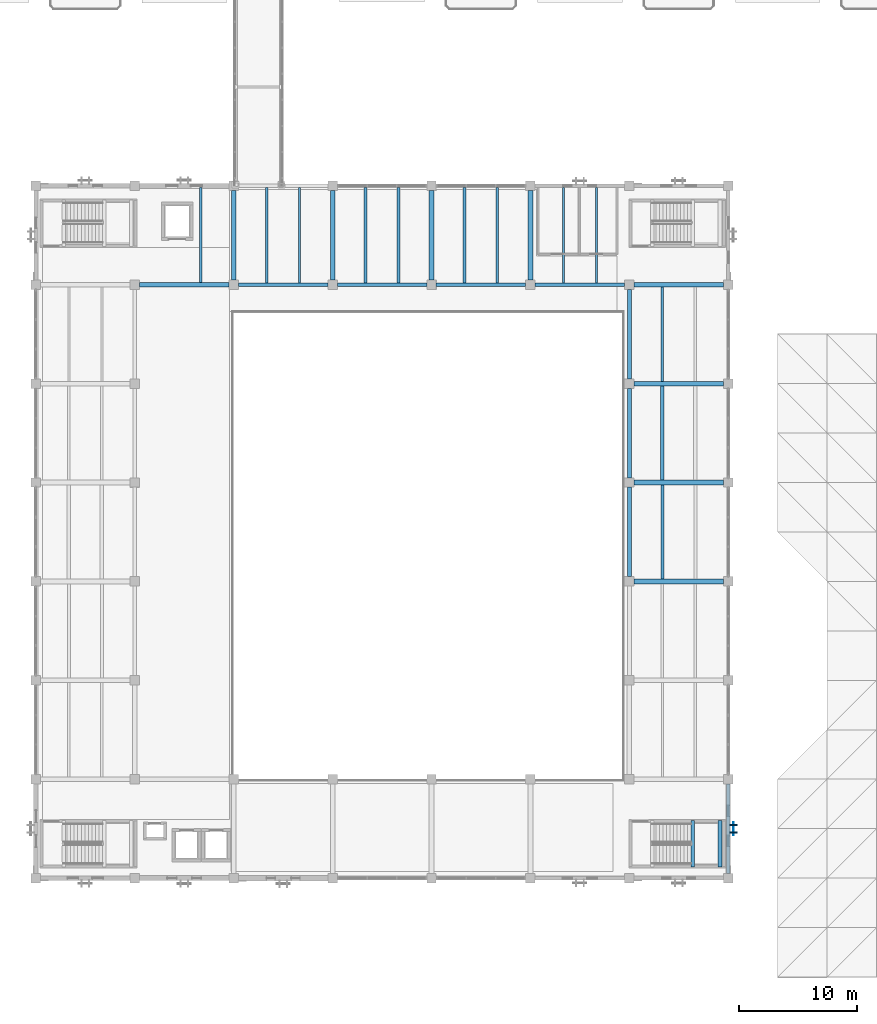
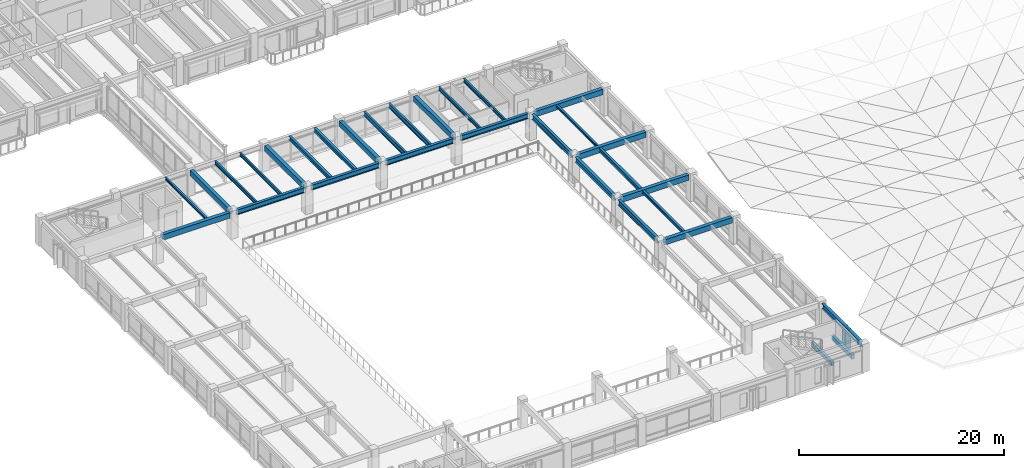
# One storey, part 11 of 123: 31 beams, 3 members, 1 element without a shape of its own.
"""IFC4 building model written with IfcOpenShell, lengths in metres."""

from ifc_helpers import new_model, si_unit, direction, frame, origin, origin_2d, place, context, subcontext, project, spatial, rectangle, i_section, extrude, material, material_profile, profile_set, type_object, element, aggregate, save


model = new_model("IFC4")

# Units and contexts
model_context = context("Model", 3, precision=1e-05, world=origin(), true_north=direction((0.0, 1.0)))
body_context = subcontext(model_context, "Body", "Model", "MODEL_VIEW")
ifc_project = project(units=[si_unit("LENGTHUNIT", "METRE"), si_unit("AREAUNIT", "SQUARE_METRE"), si_unit("VOLUMEUNIT", "CUBIC_METRE"), si_unit("PLANEANGLEUNIT", "RADIAN"), si_unit("MASSUNIT", "GRAM", prefix="KILO")], contexts=[model_context])

# Site, building, storey
site_placement = place(None, origin())
site = spatial("IfcSite", under=ifc_project, at=site_placement, CompositionType="ELEMENT")
building_placement = place(site_placement, origin())
building = spatial("IfcBuilding", under=site, at=building_placement, Name="Cumbredor Promenade Congress Hotel", CompositionType="ELEMENT")
storey_placement = place(building_placement, frame((0.0, 0.0, 11.760009765625)))
storey = spatial("IfcBuildingStorey", under=building, at=storey_placement, Name="L03", CompositionType="ELEMENT", Elevation=11.760009765625)

# Beams
ifc_material_1 = material(Name="Concrete C40/50", Category="concrete")
ifc_material_profile_1 = material_profile(ifc_material_1, rectangle(XDim=0.39990234375, YDim=0.64990234375, at=origin_2d()), Name="RC BEAM 400x650")
ifc_profile_set_1 = profile_set([ifc_material_profile_1], Name="Concrete C40/50")
beam_type_1 = type_object("IfcBeamType", Name="BM-RC-400x650", PredefinedType="BEAM", material=ifc_profile_set_1)
for number, where, z_axis, x_axis, name in (
    (1, (17.199951171875, 58.800048828125, 2.794921875), (1.0, 0.0, 0.0), (0.0, 1.0, 0.0), "L04 X-Grid Beam 041"),
    (2, (25.199951171875, 59.199951171875, 2.794921875), (0.0, 1.0, 0.0), (-1.0, 0.0, 0.0), "L04 Y-Grid Beam 054"),
    (3, (33.60009765625, 59.199951171875, 2.794921875), (0.0, 1.0, 0.0), (-1.0, 0.0, 0.0), "L04 Y-Grid Beam 066"),
    (4, (42.0, 59.199951171875, 2.794921875), (0.0, 1.0, 0.0), (-1.0, 0.0, 0.0), "L04 Y-Grid Beam 079"),
    (5, (50.39990234375, 59.199951171875, 2.794921875), (0.0, 1.0, 0.0), (-1.0, 0.0, 0.0), "L04 Y-Grid Beam 092"),
    (6, (59.199951171875, 33.60009765625, 2.794921875), (1.0, 0.0, 0.0), (0.0, 1.0, 0.0), "L04 X-Grid Beam 108"),
    (7, (59.199951171875, 42.0, 2.794921875), (1.0, 0.0, 0.0), (0.0, 1.0, 0.0), "L04 X-Grid Beam 110"),
    (8, (59.199951171875, 50.39990234375, 2.794921875), (1.0, 0.0, 0.0), (0.0, 1.0, 0.0), "L04 X-Grid Beam 112"),
    (9, (59.199951171875, 58.800048828125, 2.794921875), (1.0, 0.0, 0.0), (0.0, 1.0, 0.0), "L04 X-Grid Beam 114"),
):
    element("IfcBeam", number, at=place(storey_placement, frame(where, z_axis=z_axis, x_axis=x_axis)), inside=storey, type_object=beam_type_1, Name=name, PredefinedType="BEAM", context=body_context, shape_type="SweptSolid", body=[
        extrude(rectangle(XDim=0.39990234375, YDim=0.64990234375, at=origin_2d()), origin(), (0.0, 0.0, 1.0), 7.60009765625),
    ])
ifc_material_2 = material(Name="Steel ASTM A992 Grade 50", Category="steel")
ifc_material_profile_2 = material_profile(ifc_material_2, i_section(OverallWidth=0.323974609375, OverallDepth=0.611083984375, WebThickness=0.0126953125, FlangeThickness=0.01904296875, at=origin_2d()), Name="W24X104")
ifc_profile_set_2 = profile_set([ifc_material_profile_2], Name="Steel ASTM A992 Grade 50")
beam_type_2 = type_object("IfcBeamType", Name="BM-W24X104", PredefinedType="BEAM", material=ifc_profile_set_2)
beam_1_placement = place(storey_placement, frame((25.60009765625, 58.800048828125, 2.814453125), z_axis=(1.0, 0.0, 0.0), x_axis=(0.0, 1.0, 0.0)))
element("IfcBeam", 10, at=beam_1_placement, inside=storey, type_object=beam_type_2, Name="L04 X-Grid Beam 053", PredefinedType="BEAM", context=body_context, shape_type="SweptSolid", body=[
    extrude(i_section(OverallWidth=0.323974609375, OverallDepth=0.611083984375, WebThickness=0.0126953125, FlangeThickness=0.01904296875, at=origin_2d()), origin(), (0.0, 0.0, 1.0), 7.599853515625),
])
for number, where, z_axis, x_axis, name in (
    (11, (34.0, 58.800048828125, 2.814453125), (1.0, 0.0, 0.0), (0.0, 1.0, 0.0), "L04 X-Grid Beam 065"),
    (12, (42.39990234375, 58.800048828125, 2.814453125), (1.0, 0.0, 0.0), (0.0, 1.0, 0.0), "L04 X-Grid Beam 078"),
):
    element("IfcBeam", number, at=place(storey_placement, frame(where, z_axis=z_axis, x_axis=x_axis)), inside=storey, type_object=beam_type_2, Name=name, PredefinedType="BEAM", context=body_context, shape_type="SweptSolid", body=[
        extrude(i_section(OverallWidth=0.323974609375, OverallDepth=0.611083984375, WebThickness=0.0126953125, FlangeThickness=0.01904296875, at=origin_2d()), origin(), (0.0, 0.0, 1.0), 7.60009765625),
    ])
beam_2_placement = place(storey_placement, frame((50.800048828125, 58.800048828125, 2.814453125), z_axis=(1.0, 0.0, 0.0), x_axis=(0.0, 1.0, 0.0)))
element("IfcBeam", 13, at=beam_2_placement, inside=storey, type_object=beam_type_2, Name="L04 X-Grid Beam 091", PredefinedType="BEAM", context=body_context, shape_type="SweptSolid", body=[
    extrude(i_section(OverallWidth=0.323974609375, OverallDepth=0.611083984375, WebThickness=0.0126953125, FlangeThickness=0.01904296875, at=origin_2d()), origin(), (0.0, 0.0, 1.0), 7.599853515625),
])

# Curtain wall, member
ifc_material_3 = material(Name="Thermally broken anodized aluminium and low-E glass", Category="aluminium")
curtain_wall_type = type_object("IfcCurtainWallType", Name="Solar Brise-Soleil Screen Assembly CW-07", PredefinedType="NOTDEFINED", material=ifc_material_3)
curtain_wall_placement = place(storey_placement, origin())
curtain_wall = element("IfcCurtainWall", 14, at=curtain_wall_placement, inside=storey, type_object=curtain_wall_type, Name="L03 Pier Brise-Soleil Screen 0553", PredefinedType="NOTDEFINED")
ifc_material_4 = material(Name="Thermally broken anodized aluminium", Category="aluminium")
ifc_material_profile_3 = material_profile(ifc_material_4, rectangle(XDim=0.06494140625, YDim=0.1298828125, at=origin_2d()), Name="ALU TRANSOM 65x130")
ifc_profile_set_3 = profile_set([ifc_material_profile_3], Name="Thermally broken anodized aluminium")
member_type_1 = type_object("IfcMemberType", Name="Curtain Wall Transom TR-01", PredefinedType="USERDEFINED", material=ifc_profile_set_3)
member_1_placement = place(storey_placement, frame((67.64990234375, 12.050048828125, 2.333984375), z_axis=(0.0, 1.0, 0.0), x_axis=(-1.0, 0.0, 0.0)))
member_1 = element("IfcMember", 15, at=member_1_placement, type_object=member_type_1, Name="L03 Pier Brise-Soleil Header 0555", ObjectType="TRANSOM", PredefinedType="USERDEFINED", context=body_context, shape_type="SweptSolid", body=[
    extrude(rectangle(XDim=0.06494140625, YDim=0.1298828125, at=origin_2d()), origin(), (0.0, 0.0, 1.0), 1.099853515625),
])

# Beams
ifc_material_profile_4 = material_profile(ifc_material_2, i_section(OverallWidth=0.202880859375, OverallDepth=0.302978515625, WebThickness=0.007568359375, FlangeThickness=0.01318359375, at=origin_2d()), Name="W12X40")
ifc_profile_set_4 = profile_set([ifc_material_profile_4], Name="Steel ASTM A992 Grade 50")
beam_type_3 = type_object("IfcBeamType", Name="JST-W12X40", PredefinedType="JOIST", material=ifc_profile_set_4)
beam_3_placement = place(storey_placement, frame((22.39990234375, 59.0, 2.968505859375), z_axis=(0.0, 1.0, 0.0), x_axis=(-1.0, 0.0, 0.0)))
element("IfcBeam", 16, at=beam_3_placement, inside=storey, type_object=beam_type_3, Name="L04 Secondary Floor Joist 0025", PredefinedType="JOIST", context=body_context, shape_type="SweptSolid", body=[
    extrude(i_section(OverallWidth=0.202880859375, OverallDepth=0.302978515625, WebThickness=0.007568359375, FlangeThickness=0.01318359375, at=origin_2d()), origin(), (0.0, 0.0, 1.0), 8.0380859375),
])
beam_4_placement = place(storey_placement, frame((61.60009765625, 50.60009765625, 2.968505859375), z_axis=(0.0, 1.0, 0.0), x_axis=(-1.0, 0.0, 0.0)))
element("IfcBeam", 17, at=beam_4_placement, inside=storey, type_object=beam_type_3, Name="L04 Secondary Floor Joist 0070", PredefinedType="JOIST", context=body_context, shape_type="SweptSolid", body=[
    extrude(i_section(OverallWidth=0.202880859375, OverallDepth=0.302978515625, WebThickness=0.007568359375, FlangeThickness=0.01318359375, at=origin_2d()), origin(), (0.0, 0.0, 1.0), 8.0),
])
ifc_material_profile_5 = material_profile(ifc_material_2, i_section(OverallWidth=0.2548828125, OverallDepth=0.35693359375, WebThickness=0.010498046875, FlangeThickness=0.018310546875, at=origin_2d()), Name="W14X68")
ifc_profile_set_5 = profile_set([ifc_material_profile_5], Name="Steel ASTM A992 Grade 50")
beam_type_4 = type_object("IfcBeamType", Name="JST-W14X68", PredefinedType="JOIST", material=ifc_profile_set_5)
beam_5_placement = place(storey_placement, frame((61.60009765625, 33.800048828125, 2.94140625), z_axis=(0.0, 1.0, 0.0), x_axis=(-1.0, 0.0, 0.0)))
element("IfcBeam", 18, at=beam_5_placement, inside=storey, type_object=beam_type_4, Name="L04 Secondary Floor Joist 0066", PredefinedType="JOIST", context=body_context, shape_type="SweptSolid", body=[
    extrude(i_section(OverallWidth=0.2548828125, OverallDepth=0.35693359375, WebThickness=0.010498046875, FlangeThickness=0.018310546875, at=origin_2d()), origin(), (0.0, 0.0, 1.0), 8.0),
])
ifc_material_profile_6 = material_profile(ifc_material_2, i_section(OverallWidth=0.180908203125, OverallDepth=0.4169921875, WebThickness=0.010986328125, FlangeThickness=0.018310546875, at=origin_2d()), Name="W16X57")
ifc_profile_set_6 = profile_set([ifc_material_profile_6], Name="Steel ASTM A992 Grade 50")
beam_type_5 = type_object("IfcBeamType", Name="JST-W16X57", PredefinedType="JOIST", material=ifc_profile_set_6)
for number, where, z_axis, x_axis, name in (
    (19, (28.0, 58.9619140625, 2.911376953125), (0.0, 1.0, 0.0), (-1.0, 0.0, 0.0), "L04 Secondary Floor Joist 0032"),
    (20, (30.800048828125, 58.9619140625, 2.911376953125), (0.0, 1.0, 0.0), (-1.0, 0.0, 0.0), "L04 Secondary Floor Joist 0033"),
    (21, (53.199951171875, 58.9619140625, 2.911376953125), (0.0, 1.0, 0.0), (-1.0, 0.0, 0.0), "L04 Secondary Floor Joist 0052"),
    (22, (56.0, 58.9619140625, 2.911376953125), (0.0, 1.0, 0.0), (-1.0, 0.0, 0.0), "L04 Secondary Floor Joist 0053"),
):
    element("IfcBeam", number, at=place(storey_placement, frame(where, z_axis=z_axis, x_axis=x_axis)), inside=storey, type_object=beam_type_5, Name=name, PredefinedType="JOIST", context=body_context, shape_type="SweptSolid", body=[
        extrude(i_section(OverallWidth=0.180908203125, OverallDepth=0.4169921875, WebThickness=0.010986328125, FlangeThickness=0.018310546875, at=origin_2d()), origin(), (0.0, 0.0, 1.0), 8.076171875),
    ])
ifc_material_profile_7 = material_profile(ifc_material_2, i_section(OverallWidth=0.280029296875, OverallDepth=0.462890625, WebThickness=0.0107421875, FlangeThickness=0.017333984375, at=origin_2d()), Name="W18X76")
ifc_profile_set_7 = profile_set([ifc_material_profile_7], Name="Steel ASTM A992 Grade 50")
beam_type_6 = type_object("IfcBeamType", Name="JST-W18X76", PredefinedType="JOIST", material=ifc_profile_set_7)
for number, where, z_axis, x_axis, name in (
    (23, (36.39990234375, 58.9619140625, 2.888427734375), (0.0, 1.0, 0.0), (-1.0, 0.0, 0.0), "L04 Secondary Floor Joist 0038"),
    (24, (39.199951171875, 58.9619140625, 2.888427734375), (0.0, 1.0, 0.0), (-1.0, 0.0, 0.0), "L04 Secondary Floor Joist 0039"),
):
    element("IfcBeam", number, at=place(storey_placement, frame(where, z_axis=z_axis, x_axis=x_axis)), inside=storey, type_object=beam_type_6, Name=name, PredefinedType="JOIST", context=body_context, shape_type="SweptSolid", body=[
        extrude(i_section(OverallWidth=0.280029296875, OverallDepth=0.462890625, WebThickness=0.0107421875, FlangeThickness=0.017333984375, at=origin_2d()), origin(), (0.0, 0.0, 1.0), 8.076171875),
    ])
beam_6_placement = place(storey_placement, frame((61.60009765625, 42.199951171875, 2.888427734375), z_axis=(0.0, 1.0, 0.0), x_axis=(-1.0, 0.0, 0.0)))
element("IfcBeam", 25, at=beam_6_placement, inside=storey, type_object=beam_type_6, Name="L04 Secondary Floor Joist 0068", PredefinedType="JOIST", context=body_context, shape_type="SweptSolid", body=[
    extrude(i_section(OverallWidth=0.280029296875, OverallDepth=0.462890625, WebThickness=0.0107421875, FlangeThickness=0.017333984375, at=origin_2d()), origin(), (0.0, 0.0, 1.0), 8.0),
])
ifc_material_profile_8 = material_profile(ifc_material_2, i_section(OverallWidth=0.214111328125, OverallDepth=0.549072265625, WebThickness=0.0146484375, FlangeThickness=0.023681640625, at=origin_2d()), Name="W21X93")
ifc_profile_set_8 = profile_set([ifc_material_profile_8], Name="Steel ASTM A992 Grade 50")
beam_type_7 = type_object("IfcBeamType", Name="JST-W21X93", PredefinedType="JOIST", material=ifc_profile_set_8)
for number, where, z_axis, x_axis, name in (
    (26, (44.800048828125, 58.9619140625, 2.845458984375), (0.0, 1.0, 0.0), (-1.0, 0.0, 0.0), "L04 Secondary Floor Joist 0044"),
    (27, (47.60009765625, 58.9619140625, 2.845458984375), (0.0, 1.0, 0.0), (-1.0, 0.0, 0.0), "L04 Secondary Floor Joist 0045"),
):
    element("IfcBeam", number, at=place(storey_placement, frame(where, z_axis=z_axis, x_axis=x_axis)), inside=storey, type_object=beam_type_7, Name=name, PredefinedType="JOIST", context=body_context, shape_type="SweptSolid", body=[
        extrude(i_section(OverallWidth=0.214111328125, OverallDepth=0.549072265625, WebThickness=0.0146484375, FlangeThickness=0.023681640625, at=origin_2d()), origin(), (0.0, 0.0, 1.0), 8.076171875),
    ])
ifc_material_profile_9 = material_profile(ifc_material_1, rectangle(XDim=0.300048828125, YDim=0.5, at=origin_2d()), Name="RC LINTEL 300x500")
ifc_profile_set_9 = profile_set([ifc_material_profile_9], Name="Concrete C40/50")
beam_type_8 = type_object("IfcBeamType", Name="LN-RC-300x500", PredefinedType="LINTEL", material=ifc_profile_set_9)
for number, where, z_axis, x_axis, name in (
    (28, (66.5, 9.330078125, 1.22998046875), (0.0, 1.0, 0.0), (-1.0, 0.0, 0.0), "L03 Stair ST-05 Landing Ledger Beam E"),
    (29, (64.199951171875, 9.330078125, 1.22998046875), (0.0, 1.0, 0.0), (-1.0, 0.0, 0.0), "L03 Stair ST-05 Landing Ledger Beam W"),
):
    element("IfcBeam", number, at=place(storey_placement, frame(where, z_axis=z_axis, x_axis=x_axis)), inside=storey, type_object=beam_type_8, Name=name, PredefinedType="LINTEL", context=body_context, shape_type="SweptSolid", body=[
        extrude(rectangle(XDim=0.300048828125, YDim=0.5, at=origin_2d()), origin(), (0.0, 0.0, 1.0), 3.969970703125),
    ])
ifc_material_profile_10 = material_profile(ifc_material_2, i_section(OverallWidth=0.323974609375, OverallDepth=0.611083984375, WebThickness=0.0126953125, FlangeThickness=0.01904296875, at=origin_2d()), Name="W24X104")
ifc_profile_set_10 = profile_set([ifc_material_profile_10], Name="Steel ASTM A992 Grade 50")
beam_type_9 = type_object("IfcBeamType", Name="SP-W24X104", PredefinedType="SPANDREL", material=ifc_profile_set_10)
for number, where, z_axis, x_axis, name in (
    (30, (58.800048828125, 34.0, 2.814453125), (0.0, 1.0, 0.0), (-1.0, 0.0, 0.0), "L04 Y-Grid Beam 109"),
    (31, (58.800048828125, 42.39990234375, 2.814453125), (0.0, 1.0, 0.0), (-1.0, 0.0, 0.0), "L04 Y-Grid Beam 111"),
):
    element("IfcBeam", number, at=place(storey_placement, frame(where, z_axis=z_axis, x_axis=x_axis)), inside=storey, type_object=beam_type_9, Name=name, PredefinedType="SPANDREL", context=body_context, shape_type="SweptSolid", body=[
        extrude(i_section(OverallWidth=0.323974609375, OverallDepth=0.611083984375, WebThickness=0.0126953125, FlangeThickness=0.01904296875, at=origin_2d()), origin(), (0.0, 0.0, 1.0), 7.60009765625),
    ])
for number, where, z_axis, x_axis, name in (
    (32, (58.800048828125, 50.800048828125, 2.814453125), (0.0, 1.0, 0.0), (-1.0, 0.0, 0.0), "L04 Y-Grid Beam 113"),
    (33, (67.199951171875, 8.800048828125, 2.814453125), (0.0, 1.0, 0.0), (-1.0, 0.0, 0.0), "L04 Y-Grid Beam 125"),
):
    element("IfcBeam", number, at=place(storey_placement, frame(where, z_axis=z_axis, x_axis=x_axis)), inside=storey, type_object=beam_type_9, Name=name, PredefinedType="SPANDREL", context=body_context, shape_type="SweptSolid", body=[
        extrude(i_section(OverallWidth=0.323974609375, OverallDepth=0.611083984375, WebThickness=0.0126953125, FlangeThickness=0.01904296875, at=origin_2d()), origin(), (0.0, 0.0, 1.0), 7.599853515625),
    ])

# Member
ifc_material_profile_11 = material_profile(ifc_material_4, rectangle(XDim=0.110107421875, YDim=0.6201171875, at=origin_2d()), Name="ARCH FIN 110x620")
ifc_profile_set_11 = profile_set([ifc_material_profile_11], Name="Thermally broken anodized aluminium")
member_type_2 = type_object("IfcMemberType", Name="Vertical Bronze Brise-Soleil Fin BSF-02 110x620", PredefinedType="USERDEFINED", material=ifc_profile_set_11)
member_2_placement = place(storey_placement, frame((67.64990234375, 12.280029296875, 0.02001953125), z_axis=(0.0, 0.0, 1.0), x_axis=(0.0, 1.0, 0.0)))
member_2 = element("IfcMember", 34, at=member_2_placement, type_object=member_type_2, Name="L03 Pier Brise-Soleil Fin 0554", ObjectType="SOLAR FIN", PredefinedType="USERDEFINED", context=body_context, shape_type="SweptSolid", body=[
    extrude(rectangle(XDim=0.110107421875, YDim=0.6201171875, at=origin_2d()), origin(), (0.0, 0.0, 1.0), 2.35400390625),
])

member_3_placement = place(storey_placement, frame((67.64990234375, 12.919921875, 0.02001953125), z_axis=(0.0, 0.0, 1.0), x_axis=(0.0, 1.0, 0.0)))
member_3 = element("IfcMember", 35, at=member_3_placement, type_object=member_type_2, Name="L03 Pier Brise-Soleil Fin 0555", ObjectType="SOLAR FIN", PredefinedType="USERDEFINED", context=body_context, shape_type="SweptSolid", body=[
    extrude(rectangle(XDim=0.110107421875, YDim=0.6201171875, at=origin_2d()), origin(), (0.0, 0.0, 1.0), 2.35400390625),
])

aggregate(curtain_wall, [member_2, member_3, member_1])

save(model, "model.ifc")
